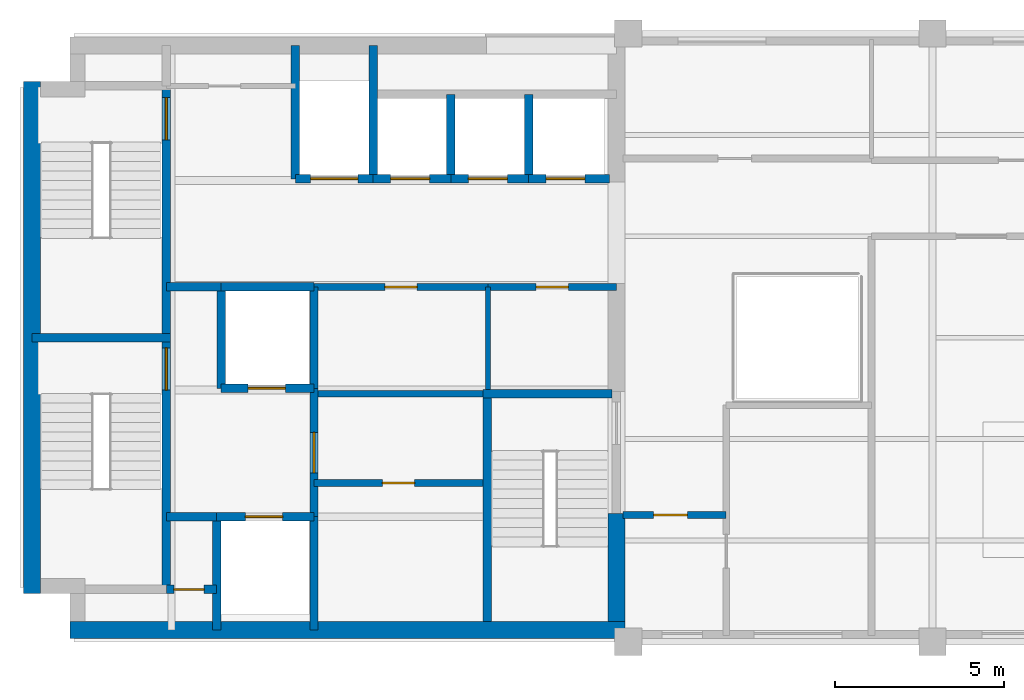
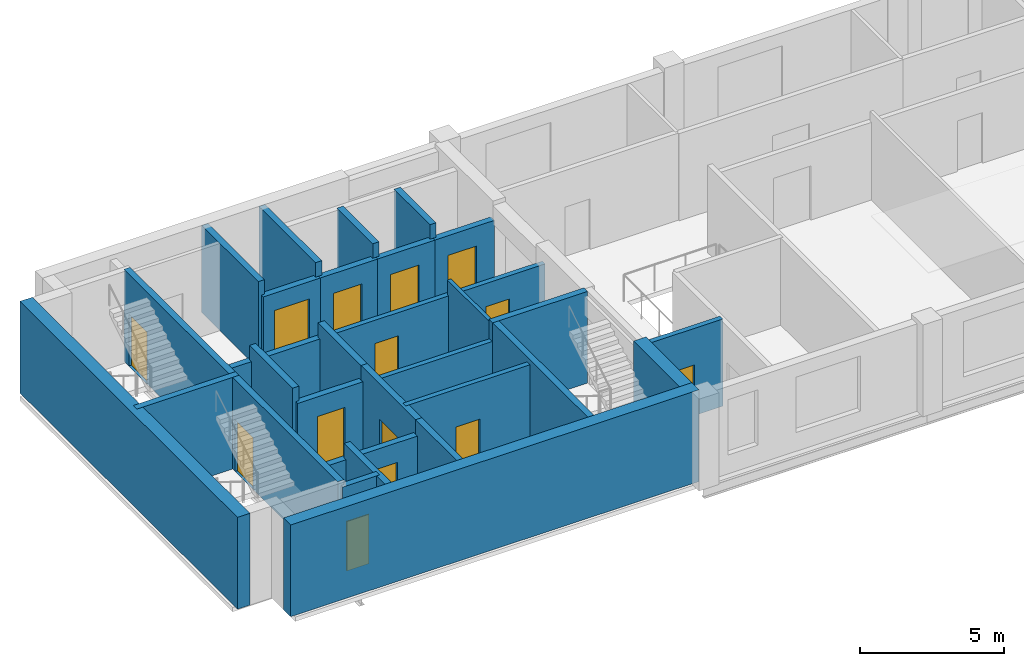
# One storey, part 2 of 5: 33 walls, 14 doors, 14 openings.
"""IFC4 building model written with IfcOpenShell, lengths in metres."""

from ifc_helpers import new_model, si_unit, direction, frame, frame_2d, origin, place, context, subcontext, project, spatial, rectangle, extrude, material, layer, layer_set, type_object, element, fill, save


model = new_model("IFC4")

# Units and contexts
model_context = context("Model", 3, precision=1e-05, world=origin(), true_north=direction((0.0, 1.0)))
body_context = subcontext(model_context, "Body", "Model", "MODEL_VIEW")
ifc_project = project(units=[si_unit("LENGTHUNIT", "METRE"), si_unit("AREAUNIT", "SQUARE_METRE"), si_unit("VOLUMEUNIT", "CUBIC_METRE"), si_unit("PLANEANGLEUNIT", "RADIAN"), si_unit("MASSUNIT", "GRAM", prefix="KILO")], contexts=[model_context])

# Site, building, storey
site_placement = place(None, origin())
site = spatial("IfcSite", under=ifc_project, at=site_placement, CompositionType="ELEMENT")
building_placement = place(site_placement, origin())
building = spatial("IfcBuilding", under=site, at=building_placement, Name="Mawjdan Bourse Tower", CompositionType="ELEMENT")
storey_placement = place(building_placement, frame((0.0, 0.0, 274.199951171875)))
storey = spatial("IfcBuildingStorey", under=building, at=storey_placement, Name="L67", CompositionType="ELEMENT", Elevation=274.199951171875)

# Wall, opening, door
ifc_material_1 = material(Name="Gypsum Fireboard Assembly")
ifc_layer_1 = layer(ifc_material_1, 0.199951171875)
ifc_layer_set_1 = layer_set([ifc_layer_1], Name="Gypsum Fireboard Assembly")
wall_type_1 = type_object("IfcWallType", Name="WL-CMP-200", PredefinedType="PARTITIONING", material=ifc_layer_set_1)
wall_1_placement = place(storey_placement, frame((14.699951171875, 7.699951171875, 0.0), z_axis=(0.0, 0.0, 1.0), x_axis=(1.0, 0.0, 0.0)))
wall_1 = element("IfcWall", 1, at=wall_1_placement, inside=storey, type_object=wall_type_1, Name="L67 Staff Tea Pantry North Wall", PredefinedType="PARTITIONING", context=body_context, shape_type="SweptSolid", body=[
    extrude(rectangle(XDim=5.0, YDim=0.199951171875, at=frame_2d((2.5, 0.0))), origin(), (0.0, 0.0, 1.0), 3.705078125),
])
opening_1_placement = place(wall_1_placement, frame((2.02490234375, 0.0, 0.0)))
opening_1 = element("IfcOpeningElement", 2, at=opening_1_placement, cuts=wall_1, Name="Opening D-L67-13", PredefinedType="OPENING", context=body_context, shape_type="SweptSolid", body=[
    extrude(rectangle(XDim=0.949951171875, YDim=2.10009765625, at=frame_2d((0.47509765625, 1.050048828125))), frame((0.0, 0.10986328125, 0.0), z_axis=(0.0, -1.0, 0.0), x_axis=(1.0, 0.0, 0.0)), (0.0, 0.0, 1.0), 0.219970703125),
])
ifc_material_2 = material(Name="Moisture-Resistant Laminate Timber", Category="wood")
door_type_1 = type_object("IfcDoorType", Name="DR-WET-0950", OperationType="NOTDEFINED", PredefinedType="DOOR", material=ifc_material_2)
door_1_placement = place(opening_1_placement, origin())
door_1 = element("IfcDoor", 3, at=door_1_placement, inside=storey, type_object=door_type_1, Name="L67 Staff Tea Pantry Door D-L67-13", OperationType="SINGLE_SWING_RIGHT", OverallHeight=2.10009765625, OverallWidth=0.949951171875, PredefinedType="DOOR", context=body_context, shape_type="SweptSolid", body=[
    extrude(rectangle(XDim=0.949951171875, YDim=2.10009765625, at=frame_2d((0.47509765625, 1.050048828125))), frame((0.0, 0.02490234375, 0.0), z_axis=(0.0, -1.0, 0.0), x_axis=(1.0, 0.0, 0.0)), (0.0, 0.0, 1.0), 0.050048828125),
])
fill(opening_1, door_1)

# Wall
wall_2_placement = place(storey_placement, frame((14.824951171875, 10.340087890625, 0.0), z_axis=(0.0, 0.0, 1.0), x_axis=(1.0, 0.0, 0.0)))
element("IfcWall", 4, at=wall_2_placement, inside=storey, type_object=wall_type_1, Name="L67 Core Restroom Suite South Wall", PredefinedType="PARTITIONING", context=body_context, shape_type="SweptSolid", body=[
    extrude(rectangle(XDim=4.880126953125, YDim=0.199951171875, at=frame_2d((2.43994140625, 0.0))), origin(), (0.0, 0.0, 1.0), 3.088134765625),
])

# Wall, opening, door
wall_3_placement = place(storey_placement, frame((14.699951171875, 13.5, 0.0), z_axis=(0.0, 0.0, 1.0), x_axis=(1.0, 0.0, 0.0)))
wall_3 = element("IfcWall", 5, at=wall_3_placement, inside=storey, type_object=wall_type_1, Name="L67 Accessible WC North Wall", PredefinedType="PARTITIONING", context=body_context, shape_type="SweptSolid", body=[
    extrude(rectangle(XDim=5.150146484375, YDim=0.199951171875, at=frame_2d((2.5751953125, 0.0))), origin(), (0.0, 0.0, 1.0), 3.088134765625),
])
opening_2_placement = place(wall_3_placement, frame((2.10009765625, 0.0, 0.0)))
opening_2 = element("IfcOpeningElement", 6, at=opening_2_placement, cuts=wall_3, Name="Opening D-L67-14", PredefinedType="OPENING", context=body_context, shape_type="SweptSolid", body=[
    extrude(rectangle(XDim=0.949951171875, YDim=2.10009765625, at=frame_2d((0.47509765625, 1.050048828125))), frame((0.0, 0.10986328125, 0.0), z_axis=(0.0, -1.0, 0.0), x_axis=(1.0, 0.0, 0.0)), (0.0, 0.0, 1.0), 0.219970703125),
])
door_2_placement = place(opening_2_placement, origin())
door_2 = element("IfcDoor", 7, at=door_2_placement, inside=storey, type_object=door_type_1, Name="L67 Accessible WC Door D-L67-14", OperationType="SINGLE_SWING_LEFT", OverallHeight=2.10009765625, OverallWidth=0.949951171875, PredefinedType="DOOR", context=body_context, shape_type="SweptSolid", body=[
    extrude(rectangle(XDim=0.949951171875, YDim=2.10009765625, at=frame_2d((0.47509765625, 1.050048828125))), frame((0.0, 0.02490234375, 0.0), z_axis=(0.0, -1.0, 0.0), x_axis=(1.0, 0.0, 0.0)), (0.0, 0.0, 1.0), 0.050048828125),
])
fill(opening_2, door_2)

wall_4_placement = place(storey_placement, frame((19.85009765625, 13.5, 0.0), z_axis=(0.0, 0.0, 1.0), x_axis=(1.0, 0.0, 0.0)))
wall_4 = element("IfcWall", 8, at=wall_4_placement, inside=storey, type_object=wall_type_1, Name="L67 Executive Restroom Suite North Wall", PredefinedType="PARTITIONING", context=body_context, shape_type="SweptSolid", body=[
    extrude(rectangle(XDim=3.7998046875, YDim=0.199951171875, at=frame_2d((1.89990234375, 0.0))), origin(), (0.0, 0.0, 1.0), 3.088134765625),
])
opening_3_placement = place(wall_4_placement, frame((1.425048828125, 0.0, 0.0)))
opening_3 = element("IfcOpeningElement", 9, at=opening_3_placement, cuts=wall_4, Name="Opening D-L67-15", PredefinedType="OPENING", context=body_context, shape_type="SweptSolid", body=[
    extrude(rectangle(XDim=0.949951171875, YDim=2.10009765625, at=frame_2d((0.47509765625, 1.050048828125))), frame((0.0, 0.10986328125, 0.0), z_axis=(0.0, -1.0, 0.0), x_axis=(1.0, 0.0, 0.0)), (0.0, 0.0, 1.0), 0.219970703125),
])
door_3_placement = place(opening_3_placement, origin())
door_3 = element("IfcDoor", 10, at=door_3_placement, inside=storey, type_object=door_type_1, Name="L67 Executive Restroom Suite Door D-L67-15", OperationType="SINGLE_SWING_RIGHT", OverallHeight=2.10009765625, OverallWidth=0.949951171875, PredefinedType="DOOR", context=body_context, shape_type="SweptSolid", body=[
    extrude(rectangle(XDim=0.949951171875, YDim=2.10009765625, at=frame_2d((0.47509765625, 1.050048828125))), frame((0.0, 0.02490234375, 0.0), z_axis=(0.0, -1.0, 0.0), x_axis=(1.0, 0.0, 0.0)), (0.0, 0.0, 1.0), 0.050048828125),
])
fill(opening_3, door_3)

wall_5_placement = place(storey_placement, frame((23.85009765625, 6.75, 0.0), z_axis=(0.0, 0.0, 1.0), x_axis=(1.0, 0.0, 0.0)))
wall_5 = element("IfcWall", 11, at=wall_5_placement, inside=storey, type_object=wall_type_1, Name="L67 Summit SW Study North Wall", PredefinedType="PARTITIONING", context=body_context, shape_type="SweptSolid", body=[
    extrude(rectangle(XDim=3.0498046875, YDim=0.199951171875, at=frame_2d((1.52490234375, 0.0))), origin(), (0.0, 0.0, 1.0), 3.705078125),
])
opening_4_placement = place(wall_5_placement, frame((0.89990234375, 0.0, 0.0)))
opening_4 = element("IfcOpeningElement", 12, at=opening_4_placement, cuts=wall_5, Name="Opening D-L67-17", PredefinedType="OPENING", context=body_context, shape_type="SweptSolid", body=[
    extrude(rectangle(XDim=1.0, YDim=2.14990234375, at=frame_2d((0.5, 1.074951171875))), frame((0.0, 0.10986328125, 0.0), z_axis=(0.0, -1.0, 0.0), x_axis=(1.0, 0.0, 0.0)), (0.0, 0.0, 1.0), 0.219970703125),
])
ifc_material_3 = material(Name="Hardwood Acoustic Leaf", Category="wood")
door_type_2 = type_object("IfcDoorType", Name="DR-OFC-1000", OperationType="NOTDEFINED", PredefinedType="DOOR", material=ifc_material_3)
door_4_placement = place(opening_4_placement, origin())
door_4 = element("IfcDoor", 13, at=door_4_placement, inside=storey, type_object=door_type_2, Name="L67 Summit SW Study Door D-L67-17", OperationType="SINGLE_SWING_RIGHT", OverallHeight=2.14990234375, OverallWidth=1.0, PredefinedType="DOOR", context=body_context, shape_type="SweptSolid", body=[
    extrude(rectangle(XDim=1.0, YDim=2.14990234375, at=frame_2d((0.5, 1.074951171875))), frame((0.0, 0.02490234375, 0.0), z_axis=(0.0, -1.0, 0.0), x_axis=(1.0, 0.0, 0.0)), (0.0, 0.0, 1.0), 0.050048828125),
])
fill(opening_4, door_4)

# Walls
ifc_material_4 = material(Name="Concrete C60/75", Category="concrete")
ifc_layer_2 = layer(ifc_material_4, 0.5)
ifc_layer_set_2 = layer_set([ifc_layer_2], Name="Concrete C60/75")
wall_type_2 = type_object("IfcWallType", Name="WL-CORE-500", PredefinedType="SHEAR", material=ifc_layer_set_2)
wall_6_placement = place(storey_placement, frame((7.47509765625, 3.35009765625, 0.0), z_axis=(0.0, 0.0, 1.0), x_axis=(1.0, 0.0, 0.0)))
element("IfcWall", 14, at=wall_6_placement, inside=storey, type_object=wall_type_2, Name="L67 Rear Core Shear Wall S", PredefinedType="SHEAR", context=body_context, shape_type="SweptSolid", body=[
    extrude(rectangle(XDim=16.4248046875, YDim=0.5, at=frame_2d((8.21240234375, 0.0))), origin(), (0.0, 0.0, 1.0), 3.900146484375),
])
wall_7_placement = place(storey_placement, frame((6.35009765625, 4.425048828125, 0.0), z_axis=(0.0, 0.0, 1.0), x_axis=(0.0, 1.0, 0.0)))
element("IfcWall", 15, at=wall_7_placement, inside=storey, type_object=wall_type_2, Name="L67 Rear Core Shear Wall W", PredefinedType="SHEAR", context=body_context, shape_type="SweptSolid", body=[
    extrude(rectangle(XDim=15.14990234375, YDim=0.5, at=frame_2d((7.574951171875, 0.0))), origin(), (0.0, 0.0, 1.0), 3.900146484375),
])
wall_8_placement = place(storey_placement, frame((23.64990234375, 3.60009765625, 0.0), z_axis=(0.0, 0.0, 1.0), x_axis=(0.0, 1.0, 0.0)))
element("IfcWall", 16, at=wall_8_placement, inside=storey, type_object=wall_type_2, Name="L67 Rear Core Shear Wall E1", PredefinedType="SHEAR", context=body_context, shape_type="SweptSolid", body=[
    extrude(rectangle(XDim=3.199951171875, YDim=0.5, at=frame_2d((1.60009765625, 0.0))), origin(), (0.0, 0.0, 1.0), 3.900146484375),
])
ifc_material_5 = material(Name="Gypsum Acoustic Partition")
ifc_layer_3 = layer(ifc_material_5, 0.14990234375)
ifc_layer_set_3 = layer_set([ifc_layer_3], Name="Gypsum Acoustic Partition")
wall_type_3 = type_object("IfcWallType", Name="WL-PRT-150", PredefinedType="PARTITIONING", material=ifc_layer_set_3)
wall_9_placement = place(storey_placement, frame((19.85009765625, 10.465087890625, 0.0), z_axis=(0.0, 0.0, 1.0), x_axis=(0.0, 1.0, 0.0)))
element("IfcWall", 17, at=wall_9_placement, inside=storey, type_object=wall_type_3, Name="L67 Executive Restroom Suite Split Wall", PredefinedType="PARTITIONING", context=body_context, shape_type="SweptSolid", body=[
    extrude(rectangle(XDim=3.034912109375, YDim=0.14990234375, at=frame_2d((1.517578125, 0.0))), origin(), (0.0, 0.0, 1.0), 3.705078125),
])

# Wall, opening, door
ifc_material_6 = material(Name="Concrete C50/60", Category="concrete")
ifc_layer_4 = layer(ifc_material_6, 0.25)
ifc_layer_set_4 = layer_set([ifc_layer_4], Name="Concrete C50/60")
wall_type_4 = type_object("IfcWallType", Name="WL-SHFT-250", PredefinedType="PARTITIONING", material=ifc_layer_set_4)
wall_10_placement = place(storey_placement, frame((10.330078125, 4.550048828125, 0.0), z_axis=(0.0, 0.0, 1.0), x_axis=(1.0, 0.0, 0.0)))
wall_10 = element("IfcWall", 18, at=wall_10_placement, inside=storey, type_object=wall_type_4, Name="L67 SW Riser North Wall", PredefinedType="PARTITIONING", context=body_context, shape_type="SweptSolid", body=[
    extrude(rectangle(XDim=1.489990234375, YDim=0.25, at=frame_2d((0.7451171875, 0.0))), origin(), (0.0, 0.0, 1.0), 3.705078125),
])
opening_5_placement = place(wall_10_placement, frame((0.219970703125, 0.0, 0.0)))
opening_5 = element("IfcOpeningElement", 19, at=opening_5_placement, cuts=wall_10, Name="Opening RD-L67-03", PredefinedType="OPENING", context=body_context, shape_type="SweptSolid", body=[
    extrude(rectangle(XDim=0.89990234375, YDim=2.10009765625, at=frame_2d((0.449951171875, 1.050048828125))), frame((0.0, 0.135009765625, 0.0), z_axis=(0.0, -1.0, 0.0), x_axis=(1.0, 0.0, 0.0)), (0.0, 0.0, 1.0), 0.27001953125),
])
ifc_material_7 = material(Name="Fire-Rated Steel Access Leaf", Category="steel")
door_type_3 = type_object("IfcDoorType", Name="FD-RSR-0900", OperationType="NOTDEFINED", PredefinedType="TRAPDOOR", material=ifc_material_7)
door_5_placement = place(opening_5_placement, origin())
door_5 = element("IfcDoor", 20, at=door_5_placement, inside=storey, type_object=door_type_3, Name="L67 Electrical Riser Access Door RD-L67-03", OperationType="SINGLE_SWING_RIGHT", OverallHeight=2.10009765625, OverallWidth=0.89990234375, PredefinedType="TRAPDOOR", context=body_context, shape_type="SweptSolid", body=[
    extrude(rectangle(XDim=0.89990234375, YDim=2.10009765625, at=frame_2d((0.449951171875, 1.050048828125))), frame((0.0, 0.02490234375, 0.0), z_axis=(0.0, -1.0, 0.0), x_axis=(1.0, 0.0, 0.0)), (0.0, 0.0, 1.0), 0.050048828125),
])
fill(opening_5, door_5)

# Wall
wall_11_placement = place(storey_placement, frame((11.820068359375, 3.35009765625, 0.0), z_axis=(0.0, 0.0, 1.0), x_axis=(0.0, 1.0, 0.0)))
element("IfcWall", 21, at=wall_11_placement, inside=storey, type_object=wall_type_4, Name="L67 SW Riser & FFL01 West Wall", PredefinedType="PARTITIONING", context=body_context, shape_type="SweptSolid", body=[
    extrude(rectangle(XDim=3.349853515625, YDim=0.25, at=frame_2d((1.6748046875, 0.0))), origin(), (0.0, 0.0, 1.0), 3.705078125),
])

# Wall, opening, door
wall_12_placement = place(storey_placement, frame((11.820068359375, 6.699951171875, 0.0), z_axis=(0.0, 0.0, 1.0), x_axis=(1.0, 0.0, 0.0)))
wall_12 = element("IfcWall", 22, at=wall_12_placement, inside=storey, type_object=wall_type_4, Name="L67 FFL-01 Front Shaft Wall", PredefinedType="PARTITIONING", context=body_context, shape_type="SweptSolid", body=[
    extrude(rectangle(XDim=2.8798828125, YDim=0.25, at=frame_2d((1.43994140625, 0.0))), origin(), (0.0, 0.0, 1.0), 3.088134765625),
])
opening_6_placement = place(wall_12_placement, frame((0.85009765625, 0.0, 0.0)))
opening_6 = element("IfcOpeningElement", 23, at=opening_6_placement, cuts=wall_12, Name="Opening LD-L67-05", PredefinedType="OPENING", context=body_context, shape_type="SweptSolid", body=[
    extrude(rectangle(XDim=1.10009765625, YDim=2.25, at=frame_2d((0.550048828125, 1.125))), frame((0.0, 0.135009765625, 0.0), z_axis=(0.0, -1.0, 0.0), x_axis=(1.0, 0.0, 0.0)), (0.0, 0.0, 1.0), 0.27001953125),
])
ifc_material_8 = material(Name="Brushed Stainless Steel", Category="steel")
door_type_4 = type_object("IfcDoorType", Name="LD-FFL-1100", OperationType="DOUBLE_DOOR_SLIDING", PredefinedType="DOOR", material=ifc_material_8)
door_6_placement = place(opening_6_placement, origin())
door_6 = element("IfcDoor", 24, at=door_6_placement, inside=storey, type_object=door_type_4, Name="L67 Firefighting Lift FFL-01 Landing Door LD-L67-05", OperationType="DOUBLE_DOOR_SLIDING", OverallHeight=2.25, OverallWidth=1.10009765625, PredefinedType="DOOR", context=body_context, shape_type="SweptSolid", body=[
    extrude(rectangle(XDim=1.10009765625, YDim=2.25, at=frame_2d((0.550048828125, 1.125))), frame((0.0, 0.02490234375, 0.0), z_axis=(0.0, -1.0, 0.0), x_axis=(1.0, 0.0, 0.0)), (0.0, 0.0, 1.0), 0.050048828125),
])
fill(opening_6, door_6)

# Wall
wall_13_placement = place(storey_placement, frame((14.699951171875, 3.35009765625, 0.0), z_axis=(0.0, 0.0, 1.0), x_axis=(0.0, 1.0, 0.0)))
element("IfcWall", 25, at=wall_13_placement, inside=storey, type_object=wall_type_4, Name="L67 FFL-01 East Shaft Wall", PredefinedType="PARTITIONING", context=body_context, shape_type="SweptSolid", body=[
    extrude(rectangle(XDim=3.349853515625, YDim=0.25, at=frame_2d((1.6748046875, 0.0))), origin(), (0.0, 0.0, 1.0), 3.705078125),
])

# Wall, opening, door
wall_14_placement = place(storey_placement, frame((11.949951171875, 10.5, 0.0), z_axis=(0.0, 0.0, 1.0), x_axis=(1.0, 0.0, 0.0)))
wall_14 = element("IfcWall", 26, at=wall_14_placement, inside=storey, type_object=wall_type_4, Name="L67 FFL-02 Front Shaft Wall", PredefinedType="PARTITIONING", context=body_context, shape_type="SweptSolid", body=[
    extrude(rectangle(XDim=2.75, YDim=0.25, at=frame_2d((1.375, 0.0))), origin(), (0.0, 0.0, 1.0), 3.088134765625),
])
opening_7_placement = place(wall_14_placement, frame((0.800048828125, 0.0, 0.0)))
opening_7 = element("IfcOpeningElement", 27, at=opening_7_placement, cuts=wall_14, Name="Opening LD-L67-06", PredefinedType="OPENING", context=body_context, shape_type="SweptSolid", body=[
    extrude(rectangle(XDim=1.10009765625, YDim=2.25, at=frame_2d((0.550048828125, 1.125))), frame((0.0, 0.135009765625, 0.0), z_axis=(0.0, -1.0, 0.0), x_axis=(1.0, 0.0, 0.0)), (0.0, 0.0, 1.0), 0.27001953125),
])
door_7_placement = place(opening_7_placement, origin())
door_7 = element("IfcDoor", 28, at=door_7_placement, inside=storey, type_object=door_type_4, Name="L67 Firefighting Lift FFL-02 Landing Door LD-L67-06", OperationType="DOUBLE_DOOR_SLIDING", OverallHeight=2.25, OverallWidth=1.10009765625, PredefinedType="DOOR", context=body_context, shape_type="SweptSolid", body=[
    extrude(rectangle(XDim=1.10009765625, YDim=2.25, at=frame_2d((0.550048828125, 1.125))), frame((0.0, 0.02490234375, 0.0), z_axis=(0.0, -1.0, 0.0), x_axis=(1.0, 0.0, 0.0)), (0.0, 0.0, 1.0), 0.050048828125),
])
fill(opening_7, door_7)

# Walls
wall_15_placement = place(storey_placement, frame((11.949951171875, 10.5, 0.0), z_axis=(0.0, 0.0, 1.0), x_axis=(0.0, 1.0, 0.0)))
element("IfcWall", 29, at=wall_15_placement, inside=storey, type_object=wall_type_4, Name="L67 FFL-02 West Shaft Wall", PredefinedType="PARTITIONING", context=body_context, shape_type="SweptSolid", body=[
    extrude(rectangle(XDim=3.0, YDim=0.25, at=frame_2d((1.5, 0.0))), origin(), (0.0, 0.0, 1.0), 3.705078125),
])
wall_16_placement = place(storey_placement, frame((11.949951171875, 13.5, 0.0), z_axis=(0.0, 0.0, 1.0), x_axis=(1.0, 0.0, 0.0)))
element("IfcWall", 30, at=wall_16_placement, inside=storey, type_object=wall_type_4, Name="L67 FFL-02 North Shaft Wall", PredefinedType="PARTITIONING", context=body_context, shape_type="SweptSolid", body=[
    extrude(rectangle(XDim=2.75, YDim=0.25, at=frame_2d((1.375, 0.0))), origin(), (0.0, 0.0, 1.0), 3.088134765625),
])
wall_17_placement = place(storey_placement, frame((14.699951171875, 10.5, 0.0), z_axis=(0.0, 0.0, 1.0), x_axis=(0.0, 1.0, 0.0)))
element("IfcWall", 31, at=wall_17_placement, inside=storey, type_object=wall_type_4, Name="L67 FFL-02 East Shaft Wall", PredefinedType="PARTITIONING", context=body_context, shape_type="SweptSolid", body=[
    extrude(rectangle(XDim=3.0, YDim=0.25, at=frame_2d((1.5, 0.0))), origin(), (0.0, 0.0, 1.0), 3.705078125),
])

# Wall, opening, door
wall_18_placement = place(storey_placement, frame((14.699951171875, 6.699951171875, 0.0), z_axis=(0.0, 0.0, 1.0), x_axis=(0.0, 1.0, 0.0)))
wall_18 = element("IfcWall", 32, at=wall_18_placement, inside=storey, type_object=wall_type_4, Name="L67 Firefighting Lobby East Compartment Wall", PredefinedType="PARTITIONING", context=body_context, shape_type="SweptSolid", body=[
    extrude(rectangle(XDim=3.800048828125, YDim=0.25, at=frame_2d((1.89990234375, 0.0))), origin(), (0.0, 0.0, 1.0), 3.705078125),
])
opening_8_placement = place(wall_18_placement, frame((1.300048828125, 0.0, 0.0)))
opening_8 = element("IfcOpeningElement", 33, at=opening_8_placement, cuts=wall_18, Name="Opening FD-L67-07", PredefinedType="OPENING", context=body_context, shape_type="SweptSolid", body=[
    extrude(rectangle(XDim=1.199951171875, YDim=2.199951171875, at=frame_2d((0.60009765625, 1.10009765625))), frame((0.0, 0.135009765625, 0.0), z_axis=(0.0, -1.0, 0.0), x_axis=(1.0, 0.0, 0.0)), (0.0, 0.0, 1.0), 0.27001953125),
])
ifc_material_9 = material(Name="Fire-Rated Steel Leaf", Category="steel")
door_type_5 = type_object("IfcDoorType", Name="FD-FFL-1200", OperationType="NOTDEFINED", PredefinedType="DOOR", material=ifc_material_9)
door_8_placement = place(opening_8_placement, origin())
door_8 = element("IfcDoor", 34, at=door_8_placement, inside=storey, type_object=door_type_5, Name="L67 Firefighting Lobby East Smoke Door FD-L67-07", OperationType="SINGLE_SWING_RIGHT", OverallHeight=2.199951171875, OverallWidth=1.199951171875, PredefinedType="DOOR", context=body_context, shape_type="SweptSolid", body=[
    extrude(rectangle(XDim=1.199951171875, YDim=2.199951171875, at=frame_2d((0.60009765625, 1.10009765625))), frame((0.0, 0.02490234375, 0.0), z_axis=(0.0, -1.0, 0.0), x_axis=(1.0, 0.0, 0.0)), (0.0, 0.0, 1.0), 0.050048828125),
])
fill(opening_8, door_8)

# Walls
wall_19_placement = place(storey_placement, frame((10.330078125, 13.5, 0.0), z_axis=(0.0, 0.0, 1.0), x_axis=(1.0, 0.0, 0.0)))
element("IfcWall", 35, at=wall_19_placement, inside=storey, type_object=wall_type_4, Name="L67 Firefighting Lobby North Compartment Wall", PredefinedType="PARTITIONING", context=body_context, shape_type="SweptSolid", body=[
    extrude(rectangle(XDim=1.619873046875, YDim=0.25, at=frame_2d((0.81005859375, 0.0))), origin(), (0.0, 0.0, 1.0), 3.088134765625),
])
wall_20_placement = place(storey_placement, frame((10.330078125, 6.699951171875, 0.0), z_axis=(0.0, 0.0, 1.0), x_axis=(1.0, 0.0, 0.0)))
element("IfcWall", 36, at=wall_20_placement, inside=storey, type_object=wall_type_4, Name="L67 Firefighting Lobby South Closure Wall", PredefinedType="PARTITIONING", context=body_context, shape_type="SweptSolid", body=[
    extrude(rectangle(XDim=1.489990234375, YDim=0.25, at=frame_2d((0.7451171875, 0.0))), origin(), (0.0, 0.0, 1.0), 3.088134765625),
])

# Wall, opening, door
wall_21_placement = place(storey_placement, frame((14.14990234375, 16.699951171875, 0.0), z_axis=(0.0, 0.0, 1.0), x_axis=(1.0, 0.0, 0.0)))
wall_21 = element("IfcWall", 37, at=wall_21_placement, inside=storey, type_object=wall_type_4, Name="L67 SVL-01 Front Shaft Wall", PredefinedType="PARTITIONING", context=body_context, shape_type="SweptSolid", body=[
    extrude(rectangle(XDim=2.300048828125, YDim=0.25, at=frame_2d((1.14990234375, 0.0))), origin(), (0.0, 0.0, 1.0), 3.088134765625),
])
opening_9_placement = place(wall_21_placement, frame((0.449951171875, 0.0, 0.0)))
opening_9 = element("IfcOpeningElement", 38, at=opening_9_placement, cuts=wall_21, Name="Opening LD-L67-09", PredefinedType="OPENING", context=body_context, shape_type="SweptSolid", body=[
    extrude(rectangle(XDim=1.39990234375, YDim=2.35009765625, at=frame_2d((0.699951171875, 1.175048828125))), frame((0.0, 0.135009765625, 0.0), z_axis=(0.0, -1.0, 0.0), x_axis=(1.0, 0.0, 0.0)), (0.0, 0.0, 1.0), 0.27001953125),
])
ifc_material_10 = material(Name="Heavy-Duty Stainless Steel", Category="steel")
door_type_6 = type_object("IfcDoorType", Name="LD-SRV-1400", OperationType="DOUBLE_DOOR_SLIDING", PredefinedType="DOOR", material=ifc_material_10)
door_9_placement = place(opening_9_placement, origin())
door_9 = element("IfcDoor", 39, at=door_9_placement, inside=storey, type_object=door_type_6, Name="L67 Service Lift SVL-01 Landing Door LD-L67-09", OperationType="DOUBLE_DOOR_SLIDING", OverallHeight=2.35009765625, OverallWidth=1.39990234375, PredefinedType="DOOR", context=body_context, shape_type="SweptSolid", body=[
    extrude(rectangle(XDim=1.39990234375, YDim=2.35009765625, at=frame_2d((0.699951171875, 1.175048828125))), frame((0.0, 0.02490234375, 0.0), z_axis=(0.0, -1.0, 0.0), x_axis=(1.0, 0.0, 0.0)), (0.0, 0.0, 1.0), 0.050048828125),
])
fill(opening_9, door_9)

# Walls
for number, where, z_axis, x_axis, name in (
    (40, (14.14990234375, 16.699951171875, 0.0), (0.0, 0.0, 1.0), (0.0, 1.0, 0.0), "L67 SVL-01 West Shaft Wall"),
    (41, (16.449951171875, 16.699951171875, 0.0), (0.0, 0.0, 1.0), (0.0, 1.0, 0.0), "L67 SVL-01 East Shaft Wall"),
):
    element("IfcWall", number, at=place(storey_placement, frame(where, z_axis=z_axis, x_axis=x_axis)), inside=storey, type_object=wall_type_4, Name=name, PredefinedType="PARTITIONING", context=body_context, shape_type="SweptSolid", body=[
        extrude(rectangle(XDim=3.949951171875, YDim=0.25, at=frame_2d((1.97509765625, 0.0))), origin(), (0.0, 0.0, 1.0), 3.705078125),
    ])

# Wall, opening, door
wall_22_placement = place(storey_placement, frame((16.449951171875, 16.699951171875, 0.0), z_axis=(0.0, 0.0, 1.0), x_axis=(1.0, 0.0, 0.0)))
wall_22 = element("IfcWall", 42, at=wall_22_placement, inside=storey, type_object=wall_type_4, Name="L67 PH-01 Front Wall", PredefinedType="PARTITIONING", context=body_context, shape_type="SweptSolid", body=[
    extrude(rectangle(XDim=2.300048828125, YDim=0.25, at=frame_2d((1.14990234375, 0.0))), origin(), (0.0, 0.0, 1.0), 3.088134765625),
])
opening_10_placement = place(wall_22_placement, frame((0.52001953125, 0.0, 0.0)))
opening_10 = element("IfcOpeningElement", 43, at=opening_10_placement, cuts=wall_22, Name="Opening LD-L67-10", PredefinedType="OPENING", context=body_context, shape_type="SweptSolid", body=[
    extrude(rectangle(XDim=1.14990234375, YDim=2.25, at=frame_2d((0.574951171875, 1.125))), frame((0.0, 0.135009765625, 0.0), z_axis=(0.0, -1.0, 0.0), x_axis=(1.0, 0.0, 0.0)), (0.0, 0.0, 1.0), 0.27001953125),
])
door_type_7 = type_object("IfcDoorType", Name="LD-PAS-1150", OperationType="DOUBLE_DOOR_SLIDING", PredefinedType="DOOR", material=ifc_material_8)
door_10_placement = place(opening_10_placement, origin())
door_10 = element("IfcDoor", 44, at=door_10_placement, inside=storey, type_object=door_type_7, Name="L67 Lift PH-01 Landing Door LD-L67-10", OperationType="DOUBLE_DOOR_SLIDING", OverallHeight=2.25, OverallWidth=1.14990234375, PredefinedType="DOOR", context=body_context, shape_type="SweptSolid", body=[
    extrude(rectangle(XDim=1.14990234375, YDim=2.25, at=frame_2d((0.574951171875, 1.125))), frame((0.0, 0.02490234375, 0.0), z_axis=(0.0, -1.0, 0.0), x_axis=(1.0, 0.0, 0.0)), (0.0, 0.0, 1.0), 0.050048828125),
])
fill(opening_10, door_10)

# Wall
wall_23_placement = place(storey_placement, frame((18.75, 16.699951171875, 0.0), z_axis=(0.0, 0.0, 1.0), x_axis=(0.0, 1.0, 0.0)))
element("IfcWall", 45, at=wall_23_placement, inside=storey, type_object=wall_type_4, Name="L67 PH-01 Divider Wall", PredefinedType="PARTITIONING", context=body_context, shape_type="SweptSolid", body=[
    extrude(rectangle(XDim=2.5, YDim=0.25, at=frame_2d((1.25, 0.0))), origin(), (0.0, 0.0, 1.0), 3.705078125),
])

# Wall, opening, door
wall_24_placement = place(storey_placement, frame((18.75, 16.699951171875, 0.0), z_axis=(0.0, 0.0, 1.0), x_axis=(1.0, 0.0, 0.0)))
wall_24 = element("IfcWall", 46, at=wall_24_placement, inside=storey, type_object=wall_type_4, Name="L67 PH-02 Front Wall", PredefinedType="PARTITIONING", context=body_context, shape_type="SweptSolid", body=[
    extrude(rectangle(XDim=2.300048828125, YDim=0.25, at=frame_2d((1.14990234375, 0.0))), origin(), (0.0, 0.0, 1.0), 3.088134765625),
])
opening_11_placement = place(wall_24_placement, frame((0.52001953125, 0.0, 0.0)))
opening_11 = element("IfcOpeningElement", 47, at=opening_11_placement, cuts=wall_24, Name="Opening LD-L67-11", PredefinedType="OPENING", context=body_context, shape_type="SweptSolid", body=[
    extrude(rectangle(XDim=1.14990234375, YDim=2.25, at=frame_2d((0.574951171875, 1.125))), frame((0.0, 0.135009765625, 0.0), z_axis=(0.0, -1.0, 0.0), x_axis=(1.0, 0.0, 0.0)), (0.0, 0.0, 1.0), 0.27001953125),
])
door_11_placement = place(opening_11_placement, origin())
door_11 = element("IfcDoor", 48, at=door_11_placement, inside=storey, type_object=door_type_7, Name="L67 Lift PH-02 Landing Door LD-L67-11", OperationType="DOUBLE_DOOR_SLIDING", OverallHeight=2.25, OverallWidth=1.14990234375, PredefinedType="DOOR", context=body_context, shape_type="SweptSolid", body=[
    extrude(rectangle(XDim=1.14990234375, YDim=2.25, at=frame_2d((0.574951171875, 1.125))), frame((0.0, 0.02490234375, 0.0), z_axis=(0.0, -1.0, 0.0), x_axis=(1.0, 0.0, 0.0)), (0.0, 0.0, 1.0), 0.050048828125),
])
fill(opening_11, door_11)

# Wall
wall_25_placement = place(storey_placement, frame((21.050048828125, 16.699951171875, 0.0), z_axis=(0.0, 0.0, 1.0), x_axis=(0.0, 1.0, 0.0)))
element("IfcWall", 49, at=wall_25_placement, inside=storey, type_object=wall_type_4, Name="L67 PH-02 Divider Wall", PredefinedType="PARTITIONING", context=body_context, shape_type="SweptSolid", body=[
    extrude(rectangle(XDim=2.5, YDim=0.25, at=frame_2d((1.25, 0.0))), origin(), (0.0, 0.0, 1.0), 3.705078125),
])

# Wall, opening, door
wall_26_placement = place(storey_placement, frame((21.050048828125, 16.699951171875, 0.0), z_axis=(0.0, 0.0, 1.0), x_axis=(1.0, 0.0, 0.0)))
wall_26 = element("IfcWall", 50, at=wall_26_placement, inside=storey, type_object=wall_type_4, Name="L67 PH-03 Front Wall", PredefinedType="PARTITIONING", context=body_context, shape_type="SweptSolid", body=[
    extrude(rectangle(XDim=2.39990234375, YDim=0.25, at=frame_2d((1.199951171875, 0.0))), origin(), (0.0, 0.0, 1.0), 3.088134765625),
])
opening_12_placement = place(wall_26_placement, frame((0.52001953125, 0.0, 0.0)))
opening_12 = element("IfcOpeningElement", 51, at=opening_12_placement, cuts=wall_26, Name="Opening LD-L67-12", PredefinedType="OPENING", context=body_context, shape_type="SweptSolid", body=[
    extrude(rectangle(XDim=1.14990234375, YDim=2.25, at=frame_2d((0.574951171875, 1.125))), frame((0.0, 0.135009765625, 0.0), z_axis=(0.0, -1.0, 0.0), x_axis=(1.0, 0.0, 0.0)), (0.0, 0.0, 1.0), 0.27001953125),
])
door_12_placement = place(opening_12_placement, origin())
door_12 = element("IfcDoor", 52, at=door_12_placement, inside=storey, type_object=door_type_7, Name="L67 Lift PH-03 Landing Door LD-L67-12", OperationType="DOUBLE_DOOR_SLIDING", OverallHeight=2.25, OverallWidth=1.14990234375, PredefinedType="DOOR", context=body_context, shape_type="SweptSolid", body=[
    extrude(rectangle(XDim=1.14990234375, YDim=2.25, at=frame_2d((0.574951171875, 1.125))), frame((0.0, 0.02490234375, 0.0), z_axis=(0.0, -1.0, 0.0), x_axis=(1.0, 0.0, 0.0)), (0.0, 0.0, 1.0), 0.050048828125),
])
fill(opening_12, door_12)

# Wall
ifc_layer_5 = layer(ifc_material_6, 0.25)
ifc_layer_set_5 = layer_set([ifc_layer_5], Name="Concrete C50/60")
wall_type_5 = type_object("IfcWallType", Name="WL-STRW-250", PredefinedType="SHEAR", material=ifc_layer_set_5)
wall_27_placement = place(storey_placement, frame((6.35009765625, 12.0, 0.0), z_axis=(0.0, 0.0, 1.0), x_axis=(1.0, 0.0, 0.0)))
element("IfcWall", 53, at=wall_27_placement, inside=storey, type_object=wall_type_5, Name="L67 Stairwell Dividing Shaft Wall", PredefinedType="SHEAR", context=body_context, shape_type="SweptSolid", body=[
    extrude(rectangle(XDim=4.10498046875, YDim=0.25, at=frame_2d((2.052490234375, 0.0))), origin(), (0.0, 0.0, 1.0), 3.900146484375),
])

# Wall, opening, door
wall_28_placement = place(storey_placement, frame((10.330078125, 4.550048828125, 0.0), z_axis=(0.0, 0.0, 1.0), x_axis=(0.0, 1.0, 0.0)))
wall_28 = element("IfcWall", 54, at=wall_28_placement, inside=storey, type_object=wall_type_5, Name="L67 Stairwell ST1 East Enclosure Wall", PredefinedType="SHEAR", context=body_context, shape_type="SweptSolid", body=[
    extrude(rectangle(XDim=7.449951171875, YDim=0.25, at=frame_2d((3.72509765625, 0.0))), origin(), (0.0, 0.0, 1.0), 3.900146484375),
])
opening_13_placement = place(wall_28_placement, frame((5.89990234375, 0.0, 0.0)))
opening_13 = element("IfcOpeningElement", 55, at=opening_13_placement, cuts=wall_28, Name="Opening SD-L67-01", PredefinedType="OPENING", context=body_context, shape_type="SweptSolid", body=[
    extrude(rectangle(XDim=1.25, YDim=2.199951171875, at=frame_2d((0.625, 1.10009765625))), frame((0.0, 0.135009765625, 0.0), z_axis=(0.0, -1.0, 0.0), x_axis=(1.0, 0.0, 0.0)), (0.0, 0.0, 1.0), 0.27001953125),
])
door_type_8 = type_object("IfcDoorType", Name="FD-ST-1250", OperationType="NOTDEFINED", PredefinedType="DOOR", material=ifc_material_9)
door_13_placement = place(opening_13_placement, origin())
door_13 = element("IfcDoor", 56, at=door_13_placement, inside=storey, type_object=door_type_8, Name="L67 Exit Stair ST1 Fire Door SD-L67-01", OperationType="SINGLE_SWING_RIGHT", OverallHeight=2.199951171875, OverallWidth=1.25, PredefinedType="DOOR", context=body_context, shape_type="SweptSolid", body=[
    extrude(rectangle(XDim=1.25, YDim=2.199951171875, at=frame_2d((0.625, 1.10009765625))), frame((0.0, 0.02490234375, 0.0), z_axis=(0.0, -1.0, 0.0), x_axis=(1.0, 0.0, 0.0)), (0.0, 0.0, 1.0), 0.050048828125),
])
fill(opening_13, door_13)

wall_29_placement = place(storey_placement, frame((10.330078125, 12.0, 0.0), z_axis=(0.0, 0.0, 1.0), x_axis=(0.0, 1.0, 0.0)))
wall_29 = element("IfcWall", 57, at=wall_29_placement, inside=storey, type_object=wall_type_5, Name="L67 Stairwell ST2 East Enclosure Wall", PredefinedType="SHEAR", context=body_context, shape_type="SweptSolid", body=[
    extrude(rectangle(XDim=7.449951171875, YDim=0.25, at=frame_2d((3.72509765625, 0.0))), origin(), (0.0, 0.0, 1.0), 3.900146484375),
])
opening_14_placement = place(wall_29_placement, frame((5.85009765625, 0.0, 0.0)))
opening_14 = element("IfcOpeningElement", 58, at=opening_14_placement, cuts=wall_29, Name="Opening SD-L67-02", PredefinedType="OPENING", context=body_context, shape_type="SweptSolid", body=[
    extrude(rectangle(XDim=1.25, YDim=2.199951171875, at=frame_2d((0.625, 1.10009765625))), frame((0.0, 0.135009765625, 0.0), z_axis=(0.0, -1.0, 0.0), x_axis=(1.0, 0.0, 0.0)), (0.0, 0.0, 1.0), 0.27001953125),
])
door_14_placement = place(opening_14_placement, origin())
door_14 = element("IfcDoor", 59, at=door_14_placement, inside=storey, type_object=door_type_8, Name="L67 Exit Stair ST2 Fire Door SD-L67-02", OperationType="SINGLE_SWING_LEFT", OverallHeight=2.199951171875, OverallWidth=1.25, PredefinedType="DOOR", context=body_context, shape_type="SweptSolid", body=[
    extrude(rectangle(XDim=1.25, YDim=2.199951171875, at=frame_2d((0.625, 1.10009765625))), frame((0.0, 0.02490234375, 0.0), z_axis=(0.0, -1.0, 0.0), x_axis=(1.0, 0.0, 0.0)), (0.0, 0.0, 1.0), 0.050048828125),
])
fill(opening_14, door_14)

# Walls
wall_30_placement = place(storey_placement, frame((19.830078125, 3.60009765625, 0.0), z_axis=(0.0, 0.0, 1.0), x_axis=(0.0, 1.0, 0.0)))
element("IfcWall", 60, at=wall_30_placement, inside=storey, type_object=wall_type_5, Name="L67 ST7 West Shaft Wall", PredefinedType="SHEAR", context=body_context, shape_type="SweptSolid", body=[
    extrude(rectangle(XDim=6.739990234375, YDim=0.25, at=frame_2d((3.3701171875, 0.0))), origin(), (0.0, 0.0, 1.0), 3.900146484375),
])
wall_31_placement = place(storey_placement, frame((19.705078125, 10.340087890625, 0.0), z_axis=(0.0, 0.0, 1.0), x_axis=(1.0, 0.0, 0.0)))
element("IfcWall", 61, at=wall_31_placement, inside=storey, type_object=wall_type_5, Name="L67 ST7 North Shaft Wall", PredefinedType="SHEAR", context=body_context, shape_type="SweptSolid", body=[
    extrude(rectangle(XDim=3.81982421875, YDim=0.25, at=frame_2d((1.909912109375, 0.0))), origin(), (0.0, 0.0, 1.0), 3.900146484375),
])

save(model, "model.ifc")
